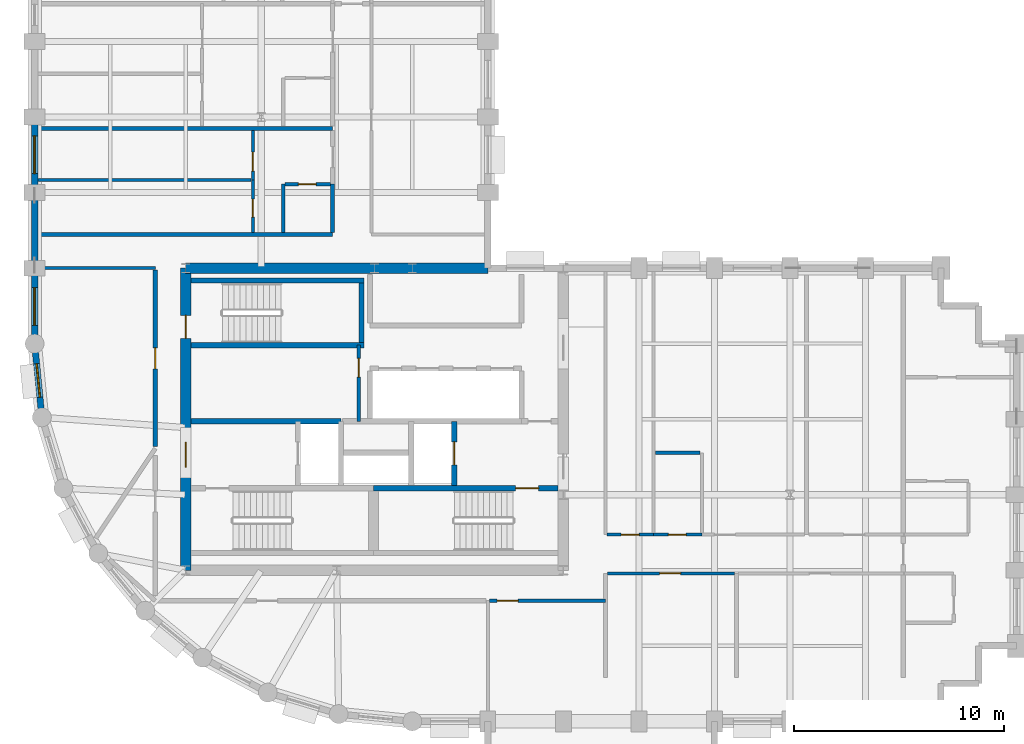
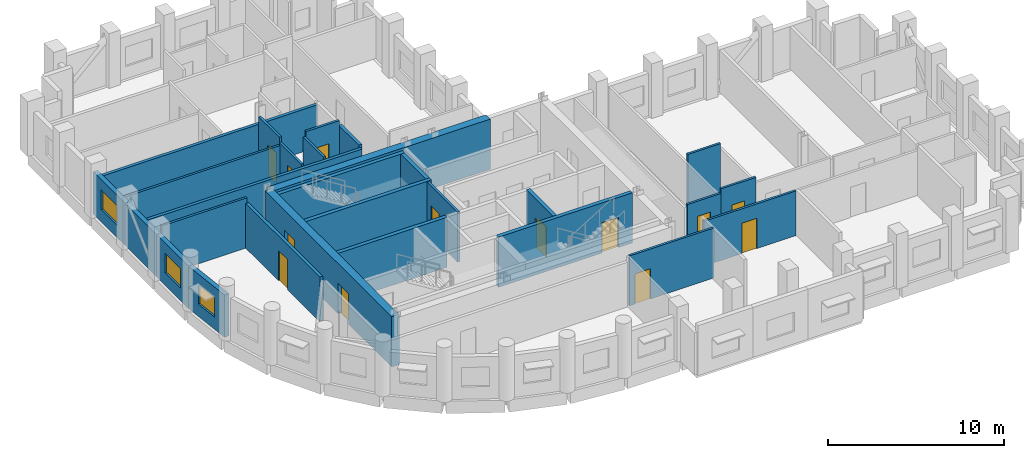
# One storey, part 4 of 11: 28 walls, 13 doors, 3 windows, 16 openings.
"""IFC4 building model written with IfcOpenShell, lengths in metres."""

from ifc_helpers import new_model, si_unit, direction, frame, frame_2d, origin, place, context, subcontext, project, spatial, rectangle, extrude, material, layer, layer_set, type_object, element, fill, save


model = new_model("IFC4")

# Units and contexts
model_context = context("Model", 3, precision=1e-05, world=origin(), true_north=direction((0.0, 1.0)))
body_context = subcontext(model_context, "Body", "Model", "MODEL_VIEW")
ifc_project = project(units=[si_unit("LENGTHUNIT", "METRE"), si_unit("AREAUNIT", "SQUARE_METRE"), si_unit("VOLUMEUNIT", "CUBIC_METRE"), si_unit("PLANEANGLEUNIT", "RADIAN"), si_unit("MASSUNIT", "GRAM", prefix="KILO")], contexts=[model_context])

# Site, building, storey
site_placement = place(None, origin())
site = spatial("IfcSite", under=ifc_project, at=site_placement, CompositionType="ELEMENT")
building_placement = place(site_placement, origin())
building = spatial("IfcBuilding", under=site, at=building_placement, Name="Solnavia Interchange Tower", CompositionType="ELEMENT")
storey_placement = place(building_placement, frame((0.0, 0.0, 165.60009765625)))
storey = spatial("IfcBuildingStorey", under=building, at=storey_placement, Name="L41", CompositionType="ELEMENT", Elevation=165.60009765625)

# Wall, opening, door
ifc_material_1 = material(Name="Gypsum Acoustic Twin-Stud & Mineral Wool", Category="gypsum")
ifc_layer_1 = layer(ifc_material_1, 0.199951171875)
ifc_layer_set_1 = layer_set([ifc_layer_1], Name="Gypsum Acoustic Twin-Stud & Mineral Wool")
wall_type_1 = type_object("IfcWallType", Name="Wall-ApartmentParty-200", PredefinedType="PARTITIONING", material=ifc_layer_set_1)
wall_1_placement = place(storey_placement, frame((12.949951171875, 16.7041015625, 0.0), z_axis=(0.0, 0.0, 1.0), x_axis=(0.0, 1.0, 0.0)))
wall_1 = element("IfcWall", 1, at=wall_1_placement, inside=storey, type_object=wall_type_1, Name="PTW-L41-11 Interior partition wall", PredefinedType="PARTITIONING", context=body_context, shape_type="SweptSolid", body=[
    extrude(rectangle(XDim=8.4169921875, YDim=0.199951171875, at=frame_2d((4.20849609375, 0.0))), origin(), (0.0, 0.0, 1.0), 3.10986328125),
])
opening_1_placement = place(wall_1_placement, frame((3.696044921875, 0.0, 0.0)))
opening_1 = element("IfcOpeningElement", 2, at=opening_1_placement, cuts=wall_1, Name="Opening DR-07", PredefinedType="OPENING", context=body_context, shape_type="SweptSolid", body=[
    extrude(rectangle(XDim=1.0, YDim=2.10009765625, at=frame_2d((0.5, 1.050048828125))), frame((0.0, 0.10986328125, 0.0), z_axis=(0.0, -1.0, 0.0), x_axis=(1.0, 0.0, 0.0)), (0.0, 0.0, 1.0), 0.219970703125),
])
ifc_material_2 = material(Name="Timber & Acoustic Glazed Office Door", Category="wood")
door_type_1 = type_object("IfcDoorType", Name="Door-Office-1000x2100", OperationType="SINGLE_SWING_RIGHT", PredefinedType="DOOR", material=ifc_material_2)
door_1_placement = place(opening_1_placement, origin())
door_1 = element("IfcDoor", 3, at=door_1_placement, inside=storey, type_object=door_type_1, Name="DR-L41-03 Interior room door", OperationType="SINGLE_SWING_LEFT", OverallHeight=2.10009765625, OverallWidth=1.0, PredefinedType="DOOR", context=body_context, shape_type="SweptSolid", body=[
    extrude(rectangle(XDim=1.0, YDim=2.10009765625, at=frame_2d((0.5, 1.050048828125))), frame((0.0, 0.02490234375, 0.0), z_axis=(0.0, -1.0, 0.0), x_axis=(1.0, 0.0, 0.0)), (0.0, 0.0, 1.0), 0.050048828125),
])
fill(opening_1, door_1)

# Walls
for number, where, z_axis, x_axis, name in (
    (4, (7.35400390625, 26.800048828125, 0.0), (0.0, 0.0, 1.0), (1.0, 0.0, 0.0), "PTW-L41-32 Interior partition wall"),
    (5, (7.35400390625, 31.860107421875, 0.0), (0.0, 0.0, 1.0), (1.0, 0.0, 0.0), "PTW-L41-33 Interior partition wall"),
):
    element("IfcWall", number, at=place(storey_placement, frame(where, z_axis=z_axis, x_axis=x_axis)), inside=storey, type_object=wall_type_1, Name=name, PredefinedType="PARTITIONING", context=body_context, shape_type="SweptSolid", body=[
        extrude(rectangle(XDim=14.0458984375, YDim=0.199951171875, at=frame_2d((7.02294921875, 0.0))), origin(), (0.0, 0.0, 1.0), 2.929931640625),
    ])
wall_2_placement = place(storey_placement, frame((21.39990234375, 26.904052734375, 0.0), z_axis=(0.0, 0.0, 1.0), x_axis=(0.0, 1.0, 0.0)))
element("IfcWall", 6, at=wall_2_placement, inside=storey, type_object=wall_type_1, Name="PTW-L41-34 Interior partition wall", PredefinedType="PARTITIONING", context=body_context, shape_type="SweptSolid", body=[
    extrude(rectangle(XDim=2.2958984375, YDim=0.199951171875, at=frame_2d((1.14794921875, 0.0))), origin(), (0.0, 0.0, 1.0), 3.099853515625),
])

# Wall, opening, window
ifc_material_3 = material(Name="Concrete C40/50", Category="concrete")
ifc_layer_2 = layer(ifc_material_3, 0.300048828125)
ifc_layer_set_2 = layer_set([ifc_layer_2], Name="Concrete C40/50")
wall_type_2 = type_object("IfcWallType", Name="Wall-ExtSpandrel-300", PredefinedType="STANDARD", material=ifc_layer_set_2)
wall_3_placement = place(storey_placement, frame((7.199951171875, 28.800048828125, 0.0), z_axis=(0.0, 0.0, 1.0), x_axis=(0.0, 1.0, 0.0)))
wall_3 = element("IfcWall", 7, at=wall_3_placement, inside=storey, type_object=wall_type_2, Name="EXW-L41-46 Exterior precast spandrel wall", PredefinedType="STANDARD", context=body_context, shape_type="SweptSolid", body=[
    extrude(rectangle(XDim=3.599853515625, YDim=0.300048828125, at=frame_2d((1.7998046875, 0.0))), origin(), (0.0, 0.0, 1.0), 2.929931640625),
])
opening_2_placement = place(wall_3_placement, frame((0.89990234375, 0.0, 0.85009765625)))
opening_2 = element("IfcOpeningElement", 8, at=opening_2_placement, cuts=wall_3, Name="Opening WIN-02", PredefinedType="OPENING", context=body_context, shape_type="SweptSolid", body=[
    extrude(rectangle(XDim=1.800048828125, YDim=1.35009765625, at=frame_2d((0.89990234375, 0.675048828125))), frame((0.0, 0.16015625, 0.0), z_axis=(0.0, -1.0, 0.0), x_axis=(1.0, 0.0, 0.0)), (0.0, 0.0, 1.0), 0.320068359375),
])
ifc_material_4 = material(Name="Thermal-Break Aluminium & Low-E Glass", Category="aluminium")
window_type_1 = type_object("IfcWindowType", Name="Window-Ribbon-1800x1350", PartitioningType="SINGLE_PANEL", PredefinedType="WINDOW", material=ifc_material_4)
window_1_placement = place(opening_2_placement, origin())
window_1 = element("IfcWindow", 9, at=window_1_placement, inside=storey, type_object=window_type_1, Name="WIN-L41-46 Facade ribbon window", OverallHeight=1.35009765625, OverallWidth=1.800048828125, PartitioningType="SINGLE_PANEL", PredefinedType="WINDOW", context=body_context, shape_type="SweptSolid", body=[
    extrude(rectangle(XDim=1.800048828125, YDim=1.35009765625, at=frame_2d((0.89990234375, 0.675048828125))), frame((0.0, 0.030029296875, 0.0), z_axis=(0.0, -1.0, 0.0), x_axis=(1.0, 0.0, 0.0)), (0.0, 0.0, 1.0), 0.06005859375),
])
fill(opening_2, window_1)

# Wall
wall_4_placement = place(storey_placement, frame((7.199951171875, 25.199951171875, 0.0), z_axis=(0.0, 0.0, 1.0), x_axis=(0.0, 1.0, 0.0)))
element("IfcWall", 10, at=wall_4_placement, inside=storey, type_object=wall_type_2, Name="EXW-L41-47 Exterior precast spandrel wall", PredefinedType="STANDARD", context=body_context, shape_type="SweptSolid", body=[
    extrude(rectangle(XDim=3.60009765625, YDim=0.300048828125, at=frame_2d((1.800048828125, 0.0))), origin(), (0.0, 0.0, 1.0), 2.929931640625),
])

# Wall, opening, window
wall_5_placement = place(storey_placement, frame((7.199951171875, 21.60009765625, 0.0), z_axis=(0.0, 0.0, 1.0), x_axis=(0.0, 1.0, 0.0)))
wall_5 = element("IfcWall", 11, at=wall_5_placement, inside=storey, type_object=wall_type_2, Name="EXW-L41-48 Exterior precast spandrel wall", PredefinedType="STANDARD", context=body_context, shape_type="SweptSolid", body=[
    extrude(rectangle(XDim=3.599853515625, YDim=0.300048828125, at=frame_2d((1.7998046875, 0.0))), origin(), (0.0, 0.0, 1.0), 2.929931640625),
])
opening_3_placement = place(wall_5_placement, frame((0.875, 0.0, 0.85009765625)))
opening_3 = element("IfcOpeningElement", 12, at=opening_3_placement, cuts=wall_5, Name="Opening WIN-02", PredefinedType="OPENING", context=body_context, shape_type="SweptSolid", body=[
    extrude(rectangle(XDim=1.800048828125, YDim=1.35009765625, at=frame_2d((0.89990234375, 0.675048828125))), frame((0.0, 0.16015625, 0.0), z_axis=(0.0, -1.0, 0.0), x_axis=(1.0, 0.0, 0.0)), (0.0, 0.0, 1.0), 0.320068359375),
])
window_2_placement = place(opening_3_placement, origin())
window_2 = element("IfcWindow", 13, at=window_2_placement, inside=storey, type_object=window_type_1, Name="WIN-L41-48 Facade ribbon window", OverallHeight=1.35009765625, OverallWidth=1.800048828125, PartitioningType="SINGLE_PANEL", PredefinedType="WINDOW", context=body_context, shape_type="SweptSolid", body=[
    extrude(rectangle(XDim=1.800048828125, YDim=1.35009765625, at=frame_2d((0.89990234375, 0.675048828125))), frame((0.0, 0.030029296875, 0.0), z_axis=(0.0, -1.0, 0.0), x_axis=(1.0, 0.0, 0.0)), (0.0, 0.0, 1.0), 0.06005859375),
])
fill(opening_3, window_2)

wall_6_placement = place(storey_placement, frame((7.5458984375, 18.087890625, 0.0), z_axis=(0.0, 0.0, 1.0), x_axis=(-0.09802417461, 0.995184033831, 0.0)))
wall_6 = element("IfcWall", 14, at=wall_6_placement, inside=storey, type_object=wall_type_2, Name="EXW-L41-49 Exterior precast spandrel wall", PredefinedType="STANDARD", context=body_context, shape_type="SweptSolid", body=[
    extrude(rectangle(XDim=3.529296875, YDim=0.300048828125, at=frame_2d((1.7646484375, 0.0))), origin(), (0.0, 0.0, 1.0), 2.929931640625),
])
opening_4_placement = place(wall_6_placement, frame((0.965087890625, 0.0, 0.85009765625)))
opening_4 = element("IfcOpeningElement", 15, at=opening_4_placement, cuts=wall_6, Name="Opening WIN-04", PredefinedType="OPENING", context=body_context, shape_type="SweptSolid", body=[
    extrude(rectangle(XDim=1.60009765625, YDim=1.35009765625, at=frame_2d((0.800048828125, 0.675048828125))), frame((0.0, 0.16015625, 0.0), z_axis=(0.0, -1.0, 0.0), x_axis=(1.0, 0.0, 0.0)), (0.0, 0.0, 1.0), 0.320068359375),
])
window_type_2 = type_object("IfcWindowType", Name="Window-Drum-1600x1350", PartitioningType="SINGLE_PANEL", PredefinedType="WINDOW", material=ifc_material_4)
window_3_placement = place(opening_4_placement, origin())
window_3 = element("IfcWindow", 16, at=window_3_placement, inside=storey, type_object=window_type_2, Name="WIN-L41-49 Facade ribbon window", OverallHeight=1.35009765625, OverallWidth=1.60009765625, PartitioningType="SINGLE_PANEL", PredefinedType="WINDOW", context=body_context, shape_type="SweptSolid", body=[
    extrude(rectangle(XDim=1.60009765625, YDim=1.35009765625, at=frame_2d((0.800048828125, 0.675048828125))), frame((0.0, 0.030029296875, 0.0), z_axis=(0.0, -1.0, 0.0), x_axis=(1.0, 0.0, 0.0)), (0.0, 0.0, 1.0), 0.06005859375),
])
fill(opening_4, window_3)

# Wall, opening, door
ifc_material_5 = material(Name="Gypsum Plasterboard & Steel Stud", Category="steel")
ifc_layer_3 = layer(ifc_material_5, 0.14990234375)
ifc_layer_set_3 = layer_set([ifc_layer_3], Name="Gypsum Plasterboard & Steel Stud")
wall_type_3 = type_object("IfcWallType", Name="Wall-Partition-150", PredefinedType="PARTITIONING", material=ifc_layer_set_3)
wall_7_placement = place(storey_placement, frame((22.64990234375, 17.89990234375, 0.0), z_axis=(0.0, 0.0, 1.0), x_axis=(0.0, 1.0, 0.0)))
wall_7 = element("IfcWall", 17, at=wall_7_placement, inside=storey, type_object=wall_type_3, Name="CSW-L41-E Core shaft wall", PredefinedType="PARTITIONING", context=body_context, shape_type="SweptSolid", body=[
    extrude(rectangle(XDim=3.625, YDim=0.14990234375, at=frame_2d((1.8125, 0.0))), origin(), (0.0, 0.0, 1.0), 3.46484375),
])
opening_5_placement = place(wall_7_placement, frame((2.10009765625, 0.0, 0.0)))
opening_5 = element("IfcOpeningElement", 18, at=opening_5_placement, cuts=wall_7, Name="Opening DR-09", PredefinedType="OPENING", context=body_context, shape_type="SweptSolid", body=[
    extrude(rectangle(XDim=0.89990234375, YDim=2.10009765625, at=frame_2d((0.449951171875, 1.050048828125))), frame((0.0, 0.0849609375, 0.0), z_axis=(0.0, -1.0, 0.0), x_axis=(1.0, 0.0, 0.0)), (0.0, 0.0, 1.0), 0.169921875),
])
ifc_material_6 = material(Name="Engineered Oak Veneer Door", Category="wood")
door_type_2 = type_object("IfcDoorType", Name="Door-Internal-900x2100", OperationType="SINGLE_SWING_LEFT", PredefinedType="DOOR", material=ifc_material_6)
door_2_placement = place(opening_5_placement, origin())
door_2 = element("IfcDoor", 19, at=door_2_placement, inside=storey, type_object=door_type_2, Name="DR-L41-CS1 Core fire door", OperationType="SINGLE_SWING_LEFT", OverallHeight=2.10009765625, OverallWidth=0.89990234375, PredefinedType="DOOR", context=body_context, shape_type="SweptSolid", body=[
    extrude(rectangle(XDim=0.89990234375, YDim=2.10009765625, at=frame_2d((0.449951171875, 1.050048828125))), frame((0.0, 0.02490234375, 0.0), z_axis=(0.0, -1.0, 0.0), x_axis=(1.0, 0.0, 0.0)), (0.0, 0.0, 1.0), 0.050048828125),
])
fill(opening_5, door_2)

# Wall
wall_8_placement = place(storey_placement, frame((7.35400390625, 25.199951171875, 0.0), z_axis=(0.0, 0.0, 1.0), x_axis=(1.0, 0.0, 0.0)))
element("IfcWall", 20, at=wall_8_placement, inside=storey, type_object=wall_type_3, Name="PTW-L41-07 Interior partition wall", PredefinedType="PARTITIONING", context=body_context, shape_type="SweptSolid", body=[
    extrude(rectangle(XDim=5.595947265625, YDim=0.14990234375, at=frame_2d((2.7978515625, 0.0))), origin(), (0.0, 0.0, 1.0), 3.46484375),
])

# Wall, opening, door
wall_9_placement = place(storey_placement, frame((28.87890625, 9.35009765625, 0.0), z_axis=(0.0, 0.0, 1.0), x_axis=(1.0, 0.0, 0.0)))
wall_9 = element("IfcWall", 21, at=wall_9_placement, inside=storey, type_object=wall_type_3, Name="PTW-L41-14 Interior partition wall", PredefinedType="PARTITIONING", context=body_context, shape_type="SweptSolid", body=[
    extrude(rectangle(XDim=5.52099609375, YDim=0.14990234375, at=frame_2d((2.760498046875, 0.0))), origin(), (0.0, 0.0, 1.0), 3.46484375),
])
opening_6_placement = place(wall_9_placement, frame((0.360107421875, 0.0, 0.0)))
opening_6 = element("IfcOpeningElement", 22, at=opening_6_placement, cuts=wall_9, Name="Opening DR-07", PredefinedType="OPENING", context=body_context, shape_type="SweptSolid", body=[
    extrude(rectangle(XDim=1.0, YDim=2.10009765625, at=frame_2d((0.5, 1.050048828125))), frame((0.0, 0.0849609375, 0.0), z_axis=(0.0, -1.0, 0.0), x_axis=(1.0, 0.0, 0.0)), (0.0, 0.0, 1.0), 0.169921875),
])
door_3_placement = place(opening_6_placement, origin())
door_3 = element("IfcDoor", 23, at=door_3_placement, inside=storey, type_object=door_type_1, Name="DR-L41-06 Interior room door", OperationType="SINGLE_SWING_LEFT", OverallHeight=2.10009765625, OverallWidth=1.0, PredefinedType="DOOR", context=body_context, shape_type="SweptSolid", body=[
    extrude(rectangle(XDim=1.0, YDim=2.10009765625, at=frame_2d((0.5, 1.050048828125))), frame((0.0, 0.02490234375, 0.0), z_axis=(0.0, -1.0, 0.0), x_axis=(1.0, 0.0, 0.0)), (0.0, 0.0, 1.0), 0.050048828125),
])
fill(opening_6, door_3)

wall_10_placement = place(storey_placement, frame((34.50390625, 10.64990234375, 0.0), z_axis=(0.0, 0.0, 1.0), x_axis=(1.0, 0.0, 0.0)))
wall_10 = element("IfcWall", 24, at=wall_10_placement, inside=storey, type_object=wall_type_3, Name="PTW-L41-17 Interior partition wall", PredefinedType="PARTITIONING", context=body_context, shape_type="SweptSolid", body=[
    extrude(rectangle(XDim=6.0419921875, YDim=0.14990234375, at=frame_2d((3.02099609375, 0.0))), origin(), (0.0, 0.0, 1.0), 3.099853515625),
])
opening_7_placement = place(wall_10_placement, frame((2.48095703125, 0.0, 0.0)))
opening_7 = element("IfcOpeningElement", 25, at=opening_7_placement, cuts=wall_10, Name="Opening DR-07", PredefinedType="OPENING", context=body_context, shape_type="SweptSolid", body=[
    extrude(rectangle(XDim=1.0, YDim=2.10009765625, at=frame_2d((0.5, 1.050048828125))), frame((0.0, 0.0849609375, 0.0), z_axis=(0.0, -1.0, 0.0), x_axis=(1.0, 0.0, 0.0)), (0.0, 0.0, 1.0), 0.169921875),
])
door_4_placement = place(opening_7_placement, origin())
door_4 = element("IfcDoor", 26, at=door_4_placement, inside=storey, type_object=door_type_1, Name="DR-L41-07 Interior room door", OperationType="SINGLE_SWING_RIGHT", OverallHeight=2.10009765625, OverallWidth=1.0, PredefinedType="DOOR", context=body_context, shape_type="SweptSolid", body=[
    extrude(rectangle(XDim=1.0, YDim=2.10009765625, at=frame_2d((0.5, 1.050048828125))), frame((0.0, 0.02490234375, 0.0), z_axis=(0.0, -1.0, 0.0), x_axis=(1.0, 0.0, 0.0)), (0.0, 0.0, 1.0), 0.050048828125),
])
fill(opening_7, door_4)

wall_11_placement = place(storey_placement, frame((17.60009765625, 29.39990234375, 0.0), z_axis=(0.0, 0.0, 1.0), x_axis=(0.0, 1.0, 0.0)))
wall_11 = element("IfcWall", 27, at=wall_11_placement, inside=storey, type_object=wall_type_3, Name="PTW-L41-38 Interior partition wall", PredefinedType="PARTITIONING", context=body_context, shape_type="SweptSolid", body=[
    extrude(rectangle(XDim=2.356201171875, YDim=0.14990234375, at=frame_2d((1.17822265625, 0.0))), origin(), (0.0, 0.0, 1.0), 3.46484375),
])
opening_8_placement = place(wall_11_placement, frame((0.425048828125, 0.0, 0.0)))
opening_8 = element("IfcOpeningElement", 28, at=opening_8_placement, cuts=wall_11, Name="Opening DR-09", PredefinedType="OPENING", context=body_context, shape_type="SweptSolid", body=[
    extrude(rectangle(XDim=0.89990234375, YDim=2.10009765625, at=frame_2d((0.449951171875, 1.050048828125))), frame((0.0, 0.0849609375, 0.0), z_axis=(0.0, -1.0, 0.0), x_axis=(1.0, 0.0, 0.0)), (0.0, 0.0, 1.0), 0.169921875),
])
door_5_placement = place(opening_8_placement, origin())
door_5 = element("IfcDoor", 29, at=door_5_placement, inside=storey, type_object=door_type_2, Name="DR-L41-17 Interior room door", OperationType="SINGLE_SWING_LEFT", OverallHeight=2.10009765625, OverallWidth=0.89990234375, PredefinedType="DOOR", context=body_context, shape_type="SweptSolid", body=[
    extrude(rectangle(XDim=0.89990234375, YDim=2.10009765625, at=frame_2d((0.449951171875, 1.050048828125))), frame((0.0, 0.02490234375, 0.0), z_axis=(0.0, -1.0, 0.0), x_axis=(1.0, 0.0, 0.0)), (0.0, 0.0, 1.0), 0.050048828125),
])
fill(opening_8, door_5)

ifc_layer_4 = layer(ifc_material_3, 0.25)
ifc_layer_set_4 = layer_set([ifc_layer_4], Name="Concrete C40/50")
wall_type_4 = type_object("IfcWallType", Name="Wall-ShaftCore-250", PredefinedType="SHEAR", material=ifc_layer_set_4)
wall_12_placement = place(storey_placement, frame((23.35009765625, 14.715087890625, 0.0), z_axis=(0.0, 0.0, 1.0), x_axis=(1.0, 0.0, 0.0)))
wall_12 = element("IfcWall", 30, at=wall_12_placement, inside=storey, type_object=wall_type_4, Name="SHW-L41-ST2N Core shear wall", PredefinedType="SHEAR", context=body_context, shape_type="SweptSolid", body=[
    extrude(rectangle(XDim=8.7998046875, YDim=0.25, at=frame_2d((4.39990234375, 0.0))), origin(), (0.0, 0.0, 1.0), 3.47998046875),
])
opening_9_placement = place(wall_12_placement, frame((6.77490234375, 0.0, 0.0)))
opening_9 = element("IfcOpeningElement", 31, at=opening_9_placement, cuts=wall_12, Name="Opening DR-01", PredefinedType="OPENING", context=body_context, shape_type="SweptSolid", body=[
    extrude(rectangle(XDim=1.10009765625, YDim=2.10009765625, at=frame_2d((0.550048828125, 1.050048828125))), frame((0.0, 0.135009765625, 0.0), z_axis=(0.0, -1.0, 0.0), x_axis=(1.0, 0.0, 0.0)), (0.0, 0.0, 1.0), 0.27001953125),
])
ifc_material_7 = material(Name="Steel Fire-Rated Leaf & Frame", Category="steel")
door_type_3 = type_object("IfcDoorType", Name="Door-StairFire-1100x2100", OperationType="SINGLE_SWING_LEFT", PredefinedType="DOOR", material=ifc_material_7)
door_6_placement = place(opening_9_placement, origin())
door_6 = element("IfcDoor", 32, at=door_6_placement, inside=storey, type_object=door_type_3, Name="DR-L41-ST2 Core fire door", OperationType="SINGLE_SWING_LEFT", OverallHeight=2.10009765625, OverallWidth=1.10009765625, PredefinedType="DOOR", context=body_context, shape_type="SweptSolid", body=[
    extrude(rectangle(XDim=1.10009765625, YDim=2.10009765625, at=frame_2d((0.550048828125, 1.050048828125))), frame((0.0, 0.02490234375, 0.0), z_axis=(0.0, -1.0, 0.0), x_axis=(1.0, 0.0, 0.0)), (0.0, 0.0, 1.0), 0.050048828125),
])
fill(opening_9, door_6)

# Walls
for number, where, z_axis, x_axis, name in (
    (33, (14.64990234375, 21.52490234375, 0.0), (0.0, 0.0, 1.0), (1.0, 0.0, 0.0), "SHW-L41-ST3S Core shear wall"),
    (34, (14.64990234375, 24.614990234375, 0.0), (0.0, 0.0, 1.0), (1.0, 0.0, 0.0), "SHW-L41-ST3N Core shear wall"),
):
    element("IfcWall", number, at=place(storey_placement, frame(where, z_axis=z_axis, x_axis=x_axis)), inside=storey, type_object=wall_type_4, Name=name, PredefinedType="SHEAR", context=body_context, shape_type="SweptSolid", body=[
        extrude(rectangle(XDim=8.25, YDim=0.25, at=frame_2d((4.125, 0.0))), origin(), (0.0, 0.0, 1.0), 3.47998046875),
    ])
wall_13_placement = place(storey_placement, frame((22.77490234375, 21.64990234375, 0.0), z_axis=(0.0, 0.0, 1.0), x_axis=(0.0, 1.0, 0.0)))
element("IfcWall", 35, at=wall_13_placement, inside=storey, type_object=wall_type_4, Name="SHW-L41-ST3E Core shear wall", PredefinedType="SHEAR", context=body_context, shape_type="SweptSolid", body=[
    extrude(rectangle(XDim=2.840087890625, YDim=0.25, at=frame_2d((1.419921875, 0.0))), origin(), (0.0, 0.0, 1.0), 3.47998046875),
])
ifc_layer_5 = layer(ifc_material_3, 0.25)
ifc_layer_set_5 = layer_set([ifc_layer_5], Name="Concrete C40/50")
wall_type_5 = type_object("IfcWallType", Name="Wall-ShaftPart-250", PredefinedType="PARTITIONING", material=ifc_layer_set_5)
wall_14_placement = place(storey_placement, frame((14.64990234375, 17.89990234375, 0.0), z_axis=(0.0, 0.0, 1.0), x_axis=(1.0, 0.0, 0.0)))
element("IfcWall", 36, at=wall_14_placement, inside=storey, type_object=wall_type_5, Name="SHW-L41-FFLW-N Core shaft wall", PredefinedType="PARTITIONING", context=body_context, shape_type="SweptSolid", body=[
    extrude(rectangle(XDim=7.150146484375, YDim=0.25, at=frame_2d((3.5751953125, 0.0))), origin(), (0.0, 0.0, 1.0), 3.46484375),
])

# Wall, opening, door
wall_15_placement = place(storey_placement, frame((27.199951171875, 14.840087890625, 0.0), z_axis=(0.0, 0.0, 1.0), x_axis=(0.0, 1.0, 0.0)))
wall_15 = element("IfcWall", 37, at=wall_15_placement, inside=storey, type_object=wall_type_5, Name="SHW-L41-FFL2-E Core shaft wall", PredefinedType="PARTITIONING", context=body_context, shape_type="SweptSolid", body=[
    extrude(rectangle(XDim=3.059814453125, YDim=0.25, at=frame_2d((1.52978515625, 0.0))), origin(), (0.0, 0.0, 1.0), 3.46484375),
])
opening_10_placement = place(wall_15_placement, frame((0.97998046875, 0.0, 0.0)))
opening_10 = element("IfcOpeningElement", 38, at=opening_10_placement, cuts=wall_15, Name="Opening LD-01", PredefinedType="OPENING", context=body_context, shape_type="SweptSolid", body=[
    extrude(rectangle(XDim=1.10009765625, YDim=2.10009765625, at=frame_2d((0.550048828125, 1.050048828125))), frame((0.0, 0.135009765625, 0.0), z_axis=(0.0, -1.0, 0.0), x_axis=(1.0, 0.0, 0.0)), (0.0, 0.0, 1.0), 0.27001953125),
])
ifc_material_8 = material(Name="Brushed Stainless Steel Sliding Door", Category="steel")
door_type_4 = type_object("IfcDoorType", Name="Door-LiftLanding-1100x2100", OperationType="SLIDING_TO_LEFT", PredefinedType="DOOR", material=ifc_material_8)
door_7_placement = place(opening_10_placement, origin())
door_7 = element("IfcDoor", 39, at=door_7_placement, inside=storey, type_object=door_type_4, Name="LD-L41-FFL2 Lift landing sliding door", OperationType="SLIDING_TO_LEFT", OverallHeight=2.10009765625, OverallWidth=1.10009765625, PredefinedType="DOOR", context=body_context, shape_type="SweptSolid", body=[
    extrude(rectangle(XDim=1.10009765625, YDim=2.10009765625, at=frame_2d((0.550048828125, 1.050048828125))), frame((0.0, 0.02490234375, 0.0), z_axis=(0.0, -1.0, 0.0), x_axis=(1.0, 0.0, 0.0)), (0.0, 0.0, 1.0), 0.050048828125),
])
fill(opening_10, door_7)

# Wall
ifc_material_9 = material(Name="Concrete C60/75", Category="concrete")
ifc_layer_6 = layer(ifc_material_9, 0.5)
ifc_layer_set_6 = layer_set([ifc_layer_6], Name="Concrete C60/75")
wall_type_6 = type_object("IfcWallType", Name="Wall-ShearCore-500", PredefinedType="SHEAR", material=ifc_layer_set_6)
wall_16_placement = place(storey_placement, frame((14.39990234375, 25.199951171875, 0.0), z_axis=(0.0, 0.0, 1.0), x_axis=(1.0, 0.0, 0.0)))
element("IfcWall", 40, at=wall_16_placement, inside=storey, type_object=wall_type_6, Name="CRW-L41-N Core shear wall", PredefinedType="SHEAR", context=body_context, shape_type="SweptSolid", body=[
    extrude(rectangle(XDim=14.400146484375, YDim=0.5, at=frame_2d((7.2001953125, 0.0))), origin(), (0.0, 0.0, 1.0), 3.47998046875),
])

# Wall, openings, doors
wall_17_placement = place(storey_placement, frame((14.39990234375, 10.800048828125, 0.0), z_axis=(0.0, 0.0, 1.0), x_axis=(0.0, 1.0, 0.0)))
wall_17 = element("IfcWall", 41, at=wall_17_placement, inside=storey, type_object=wall_type_6, Name="CRW-L41-W Core shear wall", PredefinedType="SHEAR", context=body_context, shape_type="SweptSolid", body=[
    extrude(rectangle(XDim=14.39990234375, YDim=0.5, at=frame_2d((7.199951171875, 0.0))), origin(), (0.0, 0.0, 1.0), 3.47998046875),
])
opening_11_placement = place(wall_17_placement, frame((11.050048828125, 0.0, 0.0)))
opening_11 = element("IfcOpeningElement", 42, at=opening_11_placement, cuts=wall_17, Name="Opening DR-01", PredefinedType="OPENING", context=body_context, shape_type="SweptSolid", body=[
    extrude(rectangle(XDim=1.10009765625, YDim=2.10009765625, at=frame_2d((0.550048828125, 1.050048828125))), frame((0.0, 0.260009765625, 0.0), z_axis=(0.0, -1.0, 0.0), x_axis=(1.0, 0.0, 0.0)), (0.0, 0.0, 1.0), 0.52001953125),
])
opening_12_placement = place(wall_17_placement, frame((4.89990234375, 0.0, 0.0)))
opening_12 = element("IfcOpeningElement", 43, at=opening_12_placement, cuts=wall_17, Name="Opening DR-02", PredefinedType="OPENING", context=body_context, shape_type="SweptSolid", body=[
    extrude(rectangle(XDim=1.199951171875, YDim=2.10009765625, at=frame_2d((0.60009765625, 1.050048828125))), frame((0.0, 0.260009765625, 0.0), z_axis=(0.0, -1.0, 0.0), x_axis=(1.0, 0.0, 0.0)), (0.0, 0.0, 1.0), 0.52001953125),
])
ifc_material_10 = material(Name="Steel Fire-Rated Vision-Panel Door", Category="steel")
door_type_5 = type_object("IfcDoorType", Name="Door-LobbyFire-1200x2100", OperationType="SINGLE_SWING_RIGHT", PredefinedType="DOOR", material=ifc_material_10)
door_8_placement = place(opening_12_placement, origin())
door_8 = element("IfcDoor", 44, at=door_8_placement, inside=storey, type_object=door_type_5, Name="DR-L41-FFL1W Core fire door", OperationType="SINGLE_SWING_RIGHT", OverallHeight=2.10009765625, OverallWidth=1.199951171875, PredefinedType="DOOR", context=body_context, shape_type="SweptSolid", body=[
    extrude(rectangle(XDim=1.199951171875, YDim=2.10009765625, at=frame_2d((0.60009765625, 1.050048828125))), frame((0.0, 0.02490234375, 0.0), z_axis=(0.0, -1.0, 0.0), x_axis=(1.0, 0.0, 0.0)), (0.0, 0.0, 1.0), 0.050048828125),
])
fill(opening_12, door_8)
door_9_placement = place(opening_11_placement, origin())
door_9 = element("IfcDoor", 45, at=door_9_placement, inside=storey, type_object=door_type_3, Name="DR-L41-ST3 Core fire door", OperationType="SINGLE_SWING_RIGHT", OverallHeight=2.10009765625, OverallWidth=1.10009765625, PredefinedType="DOOR", context=body_context, shape_type="SweptSolid", body=[
    extrude(rectangle(XDim=1.10009765625, YDim=2.10009765625, at=frame_2d((0.550048828125, 1.050048828125))), frame((0.0, 0.02490234375, 0.0), z_axis=(0.0, -1.0, 0.0), x_axis=(1.0, 0.0, 0.0)), (0.0, 0.0, 1.0), 0.050048828125),
])
fill(opening_11, door_9)

# Wall, opening, door
ifc_material_11 = material(Name="Moisture-Resistant Gypsum & Steel Stud", Category="steel")
ifc_layer_7 = layer(ifc_material_11, 0.14990234375)
ifc_layer_set_7 = layer_set([ifc_layer_7], Name="Moisture-Resistant Gypsum & Steel Stud")
wall_type_7 = type_object("IfcWallType", Name="Wall-WetRoom-150", PredefinedType="PARTITIONING", material=ifc_layer_set_7)
wall_18_placement = place(storey_placement, frame((34.47900390625, 12.5, 0.0), z_axis=(0.0, 0.0, 1.0), x_axis=(1.0, 0.0, 0.0)))
wall_18 = element("IfcWall", 46, at=wall_18_placement, inside=storey, type_object=wall_type_7, Name="PTW-L41-02 Interior partition wall", PredefinedType="PARTITIONING", context=body_context, shape_type="SweptSolid", body=[
    extrude(rectangle(XDim=2.220947265625, YDim=0.14990234375, at=frame_2d((1.1103515625, 0.0))), origin(), (0.0, 0.0, 1.0), 3.14990234375),
])
opening_13_placement = place(wall_18_placement, frame((0.674072265625, 0.0, 0.0)))
opening_13 = element("IfcOpeningElement", 47, at=opening_13_placement, cuts=wall_18, Name="Opening DR-10", PredefinedType="OPENING", context=body_context, shape_type="SweptSolid", body=[
    extrude(rectangle(XDim=0.85009765625, YDim=2.10009765625, at=frame_2d((0.425048828125, 1.050048828125))), frame((0.0, 0.0849609375, 0.0), z_axis=(0.0, -1.0, 0.0), x_axis=(1.0, 0.0, 0.0)), (0.0, 0.0, 1.0), 0.169921875),
])
ifc_material_12 = material(Name="Moisture-Resistant Timber Door", Category="wood")
door_type_6 = type_object("IfcDoorType", Name="Door-Bathroom-850x2100", OperationType="SINGLE_SWING_RIGHT", PredefinedType="DOOR", material=ifc_material_12)
door_10_placement = place(opening_13_placement, origin())
door_10 = element("IfcDoor", 48, at=door_10_placement, inside=storey, type_object=door_type_6, Name="DR-L41-01 Interior room door", OperationType="SINGLE_SWING_LEFT", OverallHeight=2.10009765625, OverallWidth=0.85009765625, PredefinedType="DOOR", context=body_context, shape_type="SweptSolid", body=[
    extrude(rectangle(XDim=0.85009765625, YDim=2.10009765625, at=frame_2d((0.425048828125, 1.050048828125))), frame((0.0, 0.02490234375, 0.0), z_axis=(0.0, -1.0, 0.0), x_axis=(1.0, 0.0, 0.0)), (0.0, 0.0, 1.0), 0.050048828125),
])
fill(opening_13, door_10)

wall_19_placement = place(storey_placement, frame((36.699951171875, 12.5, 0.0), z_axis=(0.0, 0.0, 1.0), x_axis=(1.0, 0.0, 0.0)))
wall_19 = element("IfcWall", 49, at=wall_19_placement, inside=storey, type_object=wall_type_7, Name="PTW-L41-04 Interior partition wall", PredefinedType="PARTITIONING", context=body_context, shape_type="SweptSolid", body=[
    extrude(rectangle(XDim=2.300048828125, YDim=0.14990234375, at=frame_2d((1.14990234375, 0.0))), origin(), (0.0, 0.0, 1.0), 3.46484375),
])
opening_14_placement = place(wall_19_placement, frame((0.697021484375, 0.0, 0.0)))
opening_14 = element("IfcOpeningElement", 50, at=opening_14_placement, cuts=wall_19, Name="Opening DR-10", PredefinedType="OPENING", context=body_context, shape_type="SweptSolid", body=[
    extrude(rectangle(XDim=0.85009765625, YDim=2.10009765625, at=frame_2d((0.425048828125, 1.050048828125))), frame((0.0, 0.0849609375, 0.0), z_axis=(0.0, -1.0, 0.0), x_axis=(1.0, 0.0, 0.0)), (0.0, 0.0, 1.0), 0.169921875),
])
door_11_placement = place(opening_14_placement, origin())
door_11 = element("IfcDoor", 51, at=door_11_placement, inside=storey, type_object=door_type_6, Name="DR-L41-02 Interior room door", OperationType="SINGLE_SWING_RIGHT", OverallHeight=2.10009765625, OverallWidth=0.85009765625, PredefinedType="DOOR", context=body_context, shape_type="SweptSolid", body=[
    extrude(rectangle(XDim=0.85009765625, YDim=2.10009765625, at=frame_2d((0.425048828125, 1.050048828125))), frame((0.0, 0.02490234375, 0.0), z_axis=(0.0, -1.0, 0.0), x_axis=(1.0, 0.0, 0.0)), (0.0, 0.0, 1.0), 0.050048828125),
])
fill(opening_14, door_11)

# Walls
wall_20_placement = place(storey_placement, frame((36.779052734375, 16.39990234375, 0.0), z_axis=(0.0, 0.0, 1.0), x_axis=(1.0, 0.0, 0.0)))
element("IfcWall", 52, at=wall_20_placement, inside=storey, type_object=wall_type_7, Name="PTW-L41-06 Interior partition wall", PredefinedType="PARTITIONING", context=body_context, shape_type="SweptSolid", body=[
    extrude(rectangle(XDim=2.141845703125, YDim=0.14990234375, at=frame_2d((1.07080078125, 0.0))), origin(), (0.0, 0.0, 1.0), 3.46484375),
])
wall_21_placement = place(storey_placement, frame((19.050048828125, 26.904052734375, 0.0), z_axis=(0.0, 0.0, 1.0), x_axis=(0.0, 1.0, 0.0)))
element("IfcWall", 53, at=wall_21_placement, inside=storey, type_object=wall_type_7, Name="PTW-L41-35 Interior partition wall", PredefinedType="PARTITIONING", context=body_context, shape_type="SweptSolid", body=[
    extrude(rectangle(XDim=2.2958984375, YDim=0.14990234375, at=frame_2d((1.14794921875, 0.0))), origin(), (0.0, 0.0, 1.0), 3.099853515625),
])

# Wall, opening, door
wall_22_placement = place(storey_placement, frame((19.12890625, 29.199951171875, 0.0), z_axis=(0.0, 0.0, 1.0), x_axis=(1.0, 0.0, 0.0)))
wall_22 = element("IfcWall", 54, at=wall_22_placement, inside=storey, type_object=wall_type_7, Name="PTW-L41-36 Interior partition wall", PredefinedType="PARTITIONING", context=body_context, shape_type="SweptSolid", body=[
    extrude(rectangle(XDim=2.1669921875, YDim=0.14990234375, at=frame_2d((1.08349609375, 0.0))), origin(), (0.0, 0.0, 1.0), 3.46484375),
])
opening_15_placement = place(wall_22_placement, frame((0.64111328125, 0.0, 0.0)))
opening_15 = element("IfcOpeningElement", 55, at=opening_15_placement, cuts=wall_22, Name="Opening DR-10", PredefinedType="OPENING", context=body_context, shape_type="SweptSolid", body=[
    extrude(rectangle(XDim=0.85009765625, YDim=2.10009765625, at=frame_2d((0.425048828125, 1.050048828125))), frame((0.0, 0.0849609375, 0.0), z_axis=(0.0, -1.0, 0.0), x_axis=(1.0, 0.0, 0.0)), (0.0, 0.0, 1.0), 0.169921875),
])
door_12_placement = place(opening_15_placement, origin())
door_12 = element("IfcDoor", 56, at=door_12_placement, inside=storey, type_object=door_type_6, Name="DR-L41-15 Interior room door", OperationType="SINGLE_SWING_RIGHT", OverallHeight=2.10009765625, OverallWidth=0.85009765625, PredefinedType="DOOR", context=body_context, shape_type="SweptSolid", body=[
    extrude(rectangle(XDim=0.85009765625, YDim=2.10009765625, at=frame_2d((0.425048828125, 1.050048828125))), frame((0.0, 0.02490234375, 0.0), z_axis=(0.0, -1.0, 0.0), x_axis=(1.0, 0.0, 0.0)), (0.0, 0.0, 1.0), 0.050048828125),
])
fill(opening_15, door_12)

wall_23_placement = place(storey_placement, frame((17.60009765625, 26.904052734375, 0.0), z_axis=(0.0, 0.0, 1.0), x_axis=(0.0, 1.0, 0.0)))
wall_23 = element("IfcWall", 57, at=wall_23_placement, inside=storey, type_object=wall_type_7, Name="PTW-L41-39 Interior partition wall", PredefinedType="PARTITIONING", context=body_context, shape_type="SweptSolid", body=[
    extrude(rectangle(XDim=2.495849609375, YDim=0.14990234375, at=frame_2d((1.248046875, 0.0))), origin(), (0.0, 0.0, 1.0), 3.099853515625),
])
opening_16_placement = place(wall_23_placement, frame((0.73095703125, 0.0, 0.0)))
opening_16 = element("IfcOpeningElement", 58, at=opening_16_placement, cuts=wall_23, Name="Opening DR-10", PredefinedType="OPENING", context=body_context, shape_type="SweptSolid", body=[
    extrude(rectangle(XDim=0.85009765625, YDim=2.10009765625, at=frame_2d((0.425048828125, 1.050048828125))), frame((0.0, 0.0849609375, 0.0), z_axis=(0.0, -1.0, 0.0), x_axis=(1.0, 0.0, 0.0)), (0.0, 0.0, 1.0), 0.169921875),
])
door_13_placement = place(opening_16_placement, origin())
door_13 = element("IfcDoor", 59, at=door_13_placement, inside=storey, type_object=door_type_6, Name="DR-L41-18 Interior room door", OperationType="SINGLE_SWING_RIGHT", OverallHeight=2.10009765625, OverallWidth=0.85009765625, PredefinedType="DOOR", context=body_context, shape_type="SweptSolid", body=[
    extrude(rectangle(XDim=0.85009765625, YDim=2.10009765625, at=frame_2d((0.425048828125, 1.050048828125))), frame((0.0, 0.02490234375, 0.0), z_axis=(0.0, -1.0, 0.0), x_axis=(1.0, 0.0, 0.0)), (0.0, 0.0, 1.0), 0.050048828125),
])
fill(opening_16, door_13)

# Wall
wall_24_placement = place(storey_placement, frame((7.35400390625, 29.39990234375, 0.0), z_axis=(0.0, 0.0, 1.0), x_axis=(1.0, 0.0, 0.0)))
element("IfcWall", 60, at=wall_24_placement, inside=storey, type_object=wall_type_7, Name="PTW-L41-40 Interior partition wall", PredefinedType="PARTITIONING", context=body_context, shape_type="SweptSolid", body=[
    extrude(rectangle(XDim=10.1669921875, YDim=0.14990234375, at=frame_2d((5.08349609375, 0.0))), origin(), (0.0, 0.0, 1.0), 2.929931640625),
])

save(model, "model.ifc")
